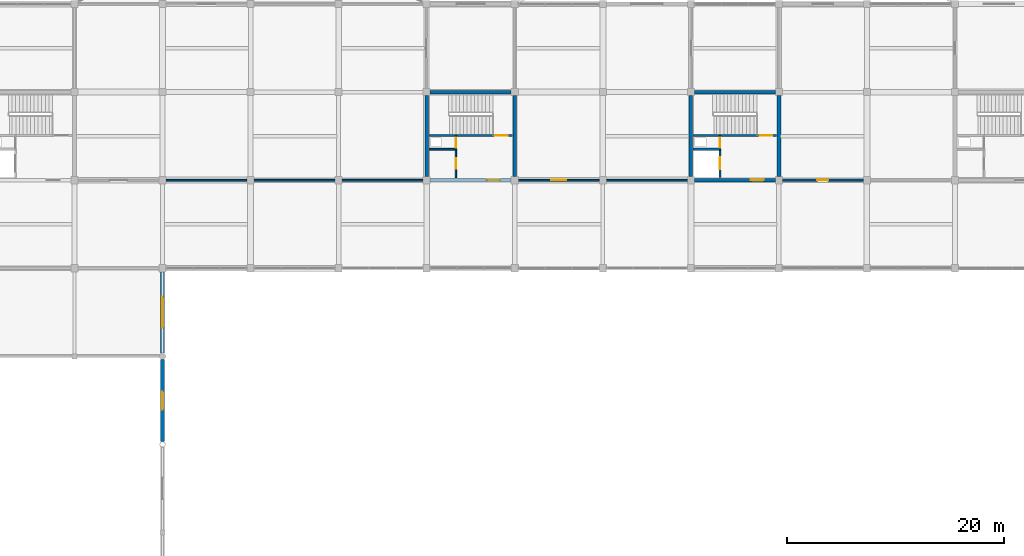
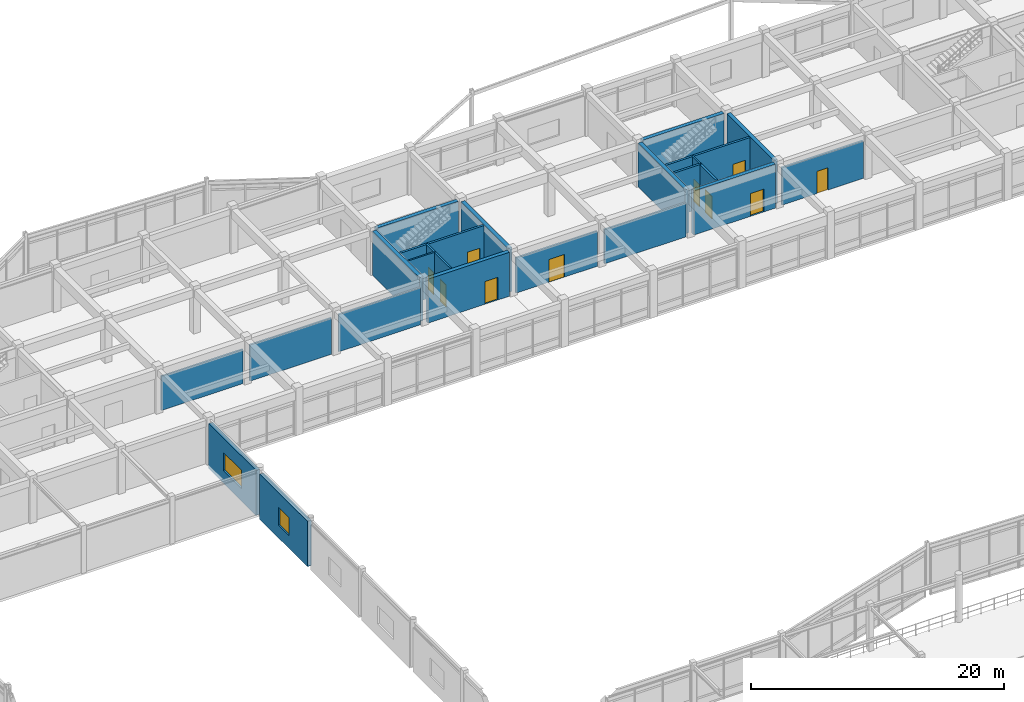
# One storey, part 67 of 93: 24 walls, 10 doors, 2 windows, 12 openings.
"""IFC4 building model written with IfcOpenShell, lengths in metres."""

from ifc_helpers import new_model, si_unit, direction, frame, frame_2d, origin, place, context, subcontext, project, spatial, rectangle, extrude, material, layer, layer_set, type_object, element, fill, save


model = new_model("IFC4")

# Units and contexts
model_context = context("Model", 3, precision=1e-05, world=origin(), true_north=direction((0.0, 1.0)))
body_context = subcontext(model_context, "Body", "Model", "MODEL_VIEW")
ifc_project = project(units=[si_unit("LENGTHUNIT", "METRE"), si_unit("AREAUNIT", "SQUARE_METRE"), si_unit("VOLUMEUNIT", "CUBIC_METRE"), si_unit("PLANEANGLEUNIT", "RADIAN"), si_unit("MASSUNIT", "GRAM", prefix="KILO")], contexts=[model_context])

# Site, building, storey
site_placement = place(None, origin())
site = spatial("IfcSite", under=ifc_project, at=site_placement, CompositionType="ELEMENT")
building_placement = place(site_placement, origin())
building = spatial("IfcBuilding", under=site, at=building_placement, Name="Vaudrelin Polytechnic", CompositionType="ELEMENT")
storey_placement = place(building_placement, frame((0.0, 0.0, 5.10009765625)))
storey = spatial("IfcBuildingStorey", under=building, at=storey_placement, Name="L01", CompositionType="ELEMENT", Elevation=5.10009765625)

# Wall, opening, window
ifc_material_1 = material(Name="Precast concrete 35 MPa with standing-seam zinc rainscreen", Category="concrete")
ifc_layer_1 = layer(ifc_material_1, 0.360107421875)
ifc_layer_set_1 = layer_set([ifc_layer_1], Name="Precast concrete 35 MPa with standing-seam zinc rainscreen")
wall_type_1 = type_object("IfcWallType", Name="WAL-EW-ZINC360", PredefinedType="STANDARD", material=ifc_layer_set_1)
wall_1_placement = place(storey_placement, frame((32.39990234375, 81.251953125, -0.380126953125), z_axis=(0.0, 0.0, 1.0), x_axis=(0.0, 1.0, 0.0)))
wall_1 = element("IfcWall", 1, at=wall_1_placement, inside=storey, type_object=wall_type_1, Name="Exterior wall L01 CT_W_04", PredefinedType="STANDARD", context=body_context, shape_type="SweptSolid", body=[
    extrude(rectangle(XDim=7.550048828125, YDim=0.360107421875, at=frame_2d((3.77490234375, 0.0))), origin(), (0.0, 0.0, 1.0), 4.385986328125),
])
opening_1_placement = place(wall_1_placement, frame((2.949951171875, 0.0, 1.22998046875)))
opening_1 = element("IfcOpeningElement", 2, at=opening_1_placement, cuts=wall_1, Name="Opening W-L01-CT-W-05", PredefinedType="OPENING", context=body_context, shape_type="SweptSolid", body=[
    extrude(rectangle(XDim=1.64990234375, YDim=1.75, at=frame_2d((0.824951171875, 0.875))), frame((0.0, 0.18994140625, 0.0), z_axis=(0.0, -1.0, 0.0), x_axis=(1.0, 0.0, 0.0)), (0.0, 0.0, 1.0), 0.380126953125),
])
ifc_material_2 = material(Name="Thermally broken aluminium frame with triple low-e glazing", Category="aluminium")
window_type_1 = type_object("IfcWindowType", Name="WIN-WN-18", PartitioningType="SINGLE_PANEL", PredefinedType="WINDOW", material=ifc_material_2)
window_1_placement = place(opening_1_placement, origin())
window_1 = element("IfcWindow", 3, at=window_1_placement, inside=storey, type_object=window_type_1, Name="Facade window L01-CT_W_04", OverallHeight=1.75, OverallWidth=1.64990234375, PartitioningType="SINGLE_PANEL", PredefinedType="WINDOW", context=body_context, shape_type="SweptSolid", body=[
    extrude(rectangle(XDim=1.64990234375, YDim=1.75, at=frame_2d((0.824951171875, 0.875))), frame((0.0, 0.030029296875, 0.0), z_axis=(0.0, -1.0, 0.0), x_axis=(1.0, 0.0, 0.0)), (0.0, 0.0, 1.0), 0.06005859375),
])
fill(opening_1, window_1)

wall_2_placement = place(storey_placement, frame((32.39990234375, 89.39794921875, -0.380126953125), z_axis=(0.0, 0.0, 1.0), x_axis=(0.0, 1.0, 0.0)))
wall_2 = element("IfcWall", 4, at=wall_2_placement, inside=storey, type_object=wall_type_1, Name="Exterior wall L01 CT_W_05", PredefinedType="STANDARD", context=body_context, shape_type="SweptSolid", body=[
    extrude(rectangle(XDim=7.47900390625, YDim=0.360107421875, at=frame_2d((3.739501953125, 0.0))), origin(), (0.0, 0.0, 1.0), 4.375),
])
opening_2_placement = place(wall_2_placement, frame((2.314453125, 0.0, 1.22998046875)))
opening_2 = element("IfcOpeningElement", 5, at=opening_2_placement, cuts=wall_2, Name="Opening W-L01-CT-W-06", PredefinedType="OPENING", context=body_context, shape_type="SweptSolid", body=[
    extrude(rectangle(XDim=2.85009765625, YDim=1.75, at=frame_2d((1.425048828125, 0.875))), frame((0.0, 0.18994140625, 0.0), z_axis=(0.0, -1.0, 0.0), x_axis=(1.0, 0.0, 0.0)), (0.0, 0.0, 1.0), 0.380126953125),
])
window_type_2 = type_object("IfcWindowType", Name="WIN-WN-19", PartitioningType="SINGLE_PANEL", PredefinedType="WINDOW", material=ifc_material_2)
window_2_placement = place(opening_2_placement, origin())
window_2 = element("IfcWindow", 6, at=window_2_placement, inside=storey, type_object=window_type_2, Name="Facade window L01-CT_W_05", OverallHeight=1.75, OverallWidth=2.85009765625, PartitioningType="SINGLE_PANEL", PredefinedType="WINDOW", context=body_context, shape_type="SweptSolid", body=[
    extrude(rectangle(XDim=2.85009765625, YDim=1.75, at=frame_2d((1.425048828125, 0.875))), frame((0.0, 0.030029296875, 0.0), z_axis=(0.0, -1.0, 0.0), x_axis=(1.0, 0.0, 0.0)), (0.0, 0.0, 1.0), 0.06005859375),
])
fill(opening_2, window_2)

# Wall, opening, door
ifc_material_3 = material(Name="Acoustic double-stud gypsum & mineral-wool partition", Category="gypsum")
ifc_layer_2 = layer(ifc_material_3, 0.179931640625)
ifc_layer_set_2 = layer_set([ifc_layer_2], Name="Acoustic double-stud gypsum & mineral-wool partition")
wall_type_2 = type_object("IfcWallType", Name="WAL-PW-AC180", PredefinedType="PARTITIONING", material=ifc_layer_set_2)
wall_3_placement = place(storey_placement, frame((89.423095703125, 105.300048828125, 0.0), z_axis=(0.0, 0.0, 1.0), x_axis=(1.0, 0.0, 0.0)))
wall_3 = element("IfcWall", 7, at=wall_3_placement, inside=storey, type_object=wall_type_2, Name="Partition L01-019 S", PredefinedType="PARTITIONING", context=body_context, shape_type="SweptSolid", body=[
    extrude(rectangle(XDim=7.453857421875, YDim=0.179931640625, at=frame_2d((3.72705078125, 0.0))), origin(), (0.0, 0.0, 1.0), 3.601806640625),
])
opening_3_placement = place(wall_3_placement, frame((3.22705078125, 0.0, 0.0)))
opening_3 = element("IfcOpeningElement", 8, at=opening_3_placement, cuts=wall_3, Name="Opening D-L01-455", PredefinedType="OPENING", context=body_context, shape_type="SweptSolid", body=[
    extrude(rectangle(XDim=1.0, YDim=2.14990234375, at=frame_2d((0.5, 1.074951171875))), frame((0.0, 0.10009765625, 0.0), z_axis=(0.0, -1.0, 0.0), x_axis=(1.0, 0.0, 0.0)), (0.0, 0.0, 1.0), 0.199951171875),
])
ifc_material_4 = material(Name="Solid-core birch veneer acoustic leaf", Category="wood")
door_type_1 = type_object("IfcDoorType", Name="DOR-ID-SEM1", OperationType="NOTDEFINED", PredefinedType="DOOR", material=ifc_material_4)
door_1_placement = place(opening_3_placement, origin())
door_1 = element("IfcDoor", 9, at=door_1_placement, inside=storey, type_object=door_type_1, Name="Seminar Room 102 door L01-019", OperationType="SINGLE_SWING_LEFT", OverallHeight=2.14990234375, OverallWidth=1.0, PredefinedType="DOOR", context=body_context, shape_type="SweptSolid", body=[
    extrude(rectangle(XDim=1.0, YDim=2.14990234375, at=frame_2d((0.5, 1.074951171875))), frame((0.0, 0.02490234375, 0.0), z_axis=(0.0, -1.0, 0.0), x_axis=(1.0, 0.0, 0.0)), (0.0, 0.0, 1.0), 0.050048828125),
])
fill(opening_3, door_1)

ifc_material_5 = material(Name="Fire-rated steel-stud gypsum compartment wall", Category="steel")
ifc_layer_3 = layer(ifc_material_5, 0.14990234375)
ifc_layer_set_3 = layer_set([ifc_layer_3], Name="Fire-rated steel-stud gypsum compartment wall")
wall_type_3 = type_object("IfcWallType", Name="WAL-PW-FIRE60", PredefinedType="PARTITIONING", material=ifc_layer_set_3)
wall_4_placement = place(storey_placement, frame((83.679931640625, 108.14990234375, 0.0), z_axis=(0.0, 0.0, 1.0), x_axis=(0.0, 1.0, 0.0)))
wall_4 = element("IfcWall", 10, at=wall_4_placement, inside=storey, type_object=wall_type_3, Name="Core C2 riser enclosure wall L01", PredefinedType="PARTITIONING", context=body_context, shape_type="SweptSolid", body=[
    extrude(rectangle(XDim=1.260009765625, YDim=0.14990234375, at=frame_2d((0.6298828125, 0.0))), origin(), (0.0, 0.0, 1.0), 4.251953125),
])
opening_4_placement = place(wall_4_placement, frame((0.139892578125, 0.0, 0.0)))
opening_4 = element("IfcOpeningElement", 11, at=opening_4_placement, cuts=wall_4, Name="Opening D-L01-032", PredefinedType="OPENING", context=body_context, shape_type="SweptSolid", body=[
    extrude(rectangle(XDim=0.89990234375, YDim=2.14990234375, at=frame_2d((0.449951171875, 1.074951171875))), frame((0.0, 0.0849609375, 0.0), z_axis=(0.0, -1.0, 0.0), x_axis=(1.0, 0.0, 0.0)), (0.0, 0.0, 1.0), 0.169921875),
])
ifc_material_6 = material(Name="Pressed galvanised steel acoustic leaf", Category="steel")
door_type_2 = type_object("IfcDoorType", Name="DOR-ID-RSR1", OperationType="NOTDEFINED", PredefinedType="DOOR", material=ifc_material_6)
door_2_placement = place(opening_4_placement, origin())
door_2 = element("IfcDoor", 12, at=door_2_placement, inside=storey, type_object=door_type_2, Name="Core C2 riser access door L01", OperationType="SINGLE_SWING_RIGHT", OverallHeight=2.14990234375, OverallWidth=0.89990234375, PredefinedType="DOOR", context=body_context, shape_type="SweptSolid", body=[
    extrude(rectangle(XDim=0.89990234375, YDim=2.14990234375, at=frame_2d((0.449951171875, 1.074951171875))), frame((0.0, 0.02490234375, 0.0), z_axis=(0.0, -1.0, 0.0), x_axis=(1.0, 0.0, 0.0)), (0.0, 0.0, 1.0), 0.050048828125),
])
fill(opening_4, door_2)

wall_5_placement = place(storey_placement, frame((59.3798828125, 108.14990234375, 0.0), z_axis=(0.0, 0.0, 1.0), x_axis=(0.0, 1.0, 0.0)))
wall_5 = element("IfcWall", 13, at=wall_5_placement, inside=storey, type_object=wall_type_3, Name="Core C9 riser enclosure wall L01", PredefinedType="PARTITIONING", context=body_context, shape_type="SweptSolid", body=[
    extrude(rectangle(XDim=1.260009765625, YDim=0.14990234375, at=frame_2d((0.6298828125, 0.0))), origin(), (0.0, 0.0, 1.0), 4.251953125),
])
opening_5_placement = place(wall_5_placement, frame((0.139892578125, 0.0, 0.0)))
opening_5 = element("IfcOpeningElement", 14, at=opening_5_placement, cuts=wall_5, Name="Opening D-L01-185", PredefinedType="OPENING", context=body_context, shape_type="SweptSolid", body=[
    extrude(rectangle(XDim=0.89990234375, YDim=2.14990234375, at=frame_2d((0.449951171875, 1.074951171875))), frame((0.0, 0.0849609375, 0.0), z_axis=(0.0, -1.0, 0.0), x_axis=(1.0, 0.0, 0.0)), (0.0, 0.0, 1.0), 0.169921875),
])
door_3_placement = place(opening_5_placement, origin())
door_3 = element("IfcDoor", 15, at=door_3_placement, inside=storey, type_object=door_type_2, Name="Core C9 riser access door L01", OperationType="SINGLE_SWING_RIGHT", OverallHeight=2.14990234375, OverallWidth=0.89990234375, PredefinedType="DOOR", context=body_context, shape_type="SweptSolid", body=[
    extrude(rectangle(XDim=0.89990234375, YDim=2.14990234375, at=frame_2d((0.449951171875, 1.074951171875))), frame((0.0, 0.02490234375, 0.0), z_axis=(0.0, -1.0, 0.0), x_axis=(1.0, 0.0, 0.0)), (0.0, 0.0, 1.0), 0.050048828125),
])
fill(opening_5, door_3)

# Wall
wall_6_placement = place(storey_placement, frame((56.919921875, 108.14990234375, 0.0), z_axis=(0.0, 0.0, 1.0), x_axis=(1.0, 0.0, 0.0)))
element("IfcWall", 16, at=wall_6_placement, inside=storey, type_object=wall_type_3, Name="Core C9 riser south fire wall L01", PredefinedType="PARTITIONING", context=body_context, shape_type="SweptSolid", body=[
    extrude(rectangle(XDim=2.530029296875, YDim=0.14990234375, at=frame_2d((1.26513671875, 0.0))), origin(), (0.0, 0.0, 1.0), 4.251953125),
])

# Wall, opening, door
wall_7_placement = place(storey_placement, frame((59.3798828125, 105.550048828125, 0.0), z_axis=(0.0, 0.0, 1.0), x_axis=(0.0, 1.0, 0.0)))
wall_7 = element("IfcWall", 17, at=wall_7_placement, inside=storey, type_object=wall_type_3, Name="Core C9 custodial enclosure wall L01", PredefinedType="PARTITIONING", context=body_context, shape_type="SweptSolid", body=[
    extrude(rectangle(XDim=2.599853515625, YDim=0.14990234375, at=frame_2d((1.2998046875, 0.0))), origin(), (0.0, 0.0, 1.0), 4.251953125),
])
opening_6_placement = place(wall_7_placement, frame((0.800048828125, 0.0, 0.0)))
opening_6 = element("IfcOpeningElement", 18, at=opening_6_placement, cuts=wall_7, Name="Opening D-L01-186", PredefinedType="OPENING", context=body_context, shape_type="SweptSolid", body=[
    extrude(rectangle(XDim=0.949951171875, YDim=2.14990234375, at=frame_2d((0.47509765625, 1.074951171875))), frame((0.0, 0.0849609375, 0.0), z_axis=(0.0, -1.0, 0.0), x_axis=(1.0, 0.0, 0.0)), (0.0, 0.0, 1.0), 0.169921875),
])
door_type_3 = type_object("IfcDoorType", Name="DOR-ID-STR1", OperationType="NOTDEFINED", PredefinedType="DOOR", material=ifc_material_6)
door_4_placement = place(opening_6_placement, origin())
door_4 = element("IfcDoor", 19, at=door_4_placement, inside=storey, type_object=door_type_3, Name="Core C9 custodial door L01", OperationType="SINGLE_SWING_RIGHT", OverallHeight=2.14990234375, OverallWidth=0.949951171875, PredefinedType="DOOR", context=body_context, shape_type="SweptSolid", body=[
    extrude(rectangle(XDim=0.949951171875, YDim=2.14990234375, at=frame_2d((0.47509765625, 1.074951171875))), frame((0.0, 0.02490234375, 0.0), z_axis=(0.0, -1.0, 0.0), x_axis=(1.0, 0.0, 0.0)), (0.0, 0.0, 1.0), 0.050048828125),
])
fill(opening_6, door_4)

# Walls
ifc_material_7 = material(Name="Pin-up plywood & acoustic gypsum studio partition", Category="wood")
ifc_layer_4 = layer(ifc_material_7, 0.14990234375)
ifc_layer_set_4 = layer_set([ifc_layer_4], Name="Pin-up plywood & acoustic gypsum studio partition")
wall_type_4 = type_object("IfcWallType", Name="WAL-PW-STU150", PredefinedType="PARTITIONING", material=ifc_layer_set_4)
wall_8_placement = place(storey_placement, frame((32.722900390625, 105.300048828125, 0.0), z_axis=(0.0, 0.0, 1.0), x_axis=(1.0, 0.0, 0.0)))
element("IfcWall", 20, at=wall_8_placement, inside=storey, type_object=wall_type_4, Name="Partition L01-016 S", PredefinedType="PARTITIONING", context=body_context, shape_type="SweptSolid", body=[
    extrude(rectangle(XDim=7.4541015625, YDim=0.14990234375, at=frame_2d((3.72705078125, 0.0))), origin(), (0.0, 0.0, 1.0), 3.302001953125),
])
wall_9_placement = place(storey_placement, frame((40.822998046875, 105.300048828125, 0.0), z_axis=(0.0, 0.0, 1.0), x_axis=(1.0, 0.0, 0.0)))
element("IfcWall", 21, at=wall_9_placement, inside=storey, type_object=wall_type_4, Name="Partition L01-016 S", PredefinedType="PARTITIONING", context=body_context, shape_type="SweptSolid", body=[
    extrude(rectangle(XDim=7.4541015625, YDim=0.14990234375, at=frame_2d((3.72705078125, 0.0))), origin(), (0.0, 0.0, 1.0), 3.501953125),
])
wall_10_placement = place(storey_placement, frame((48.923095703125, 105.300048828125, 0.0), z_axis=(0.0, 0.0, 1.0), x_axis=(1.0, 0.0, 0.0)))
element("IfcWall", 22, at=wall_10_placement, inside=storey, type_object=wall_type_4, Name="Partition L01-016 S", PredefinedType="PARTITIONING", context=body_context, shape_type="SweptSolid", body=[
    extrude(rectangle(XDim=7.453857421875, YDim=0.14990234375, at=frame_2d((3.72705078125, 0.0))), origin(), (0.0, 0.0, 1.0), 3.601806640625),
])

# Wall, opening, door
wall_11_placement = place(storey_placement, frame((65.123046875, 105.300048828125, 0.0), z_axis=(0.0, 0.0, 1.0), x_axis=(1.0, 0.0, 0.0)))
wall_11 = element("IfcWall", 23, at=wall_11_placement, inside=storey, type_object=wall_type_4, Name="Partition L01-018 S", PredefinedType="PARTITIONING", context=body_context, shape_type="SweptSolid", body=[
    extrude(rectangle(XDim=7.453857421875, YDim=0.14990234375, at=frame_2d((3.72705078125, 0.0))), origin(), (0.0, 0.0, 1.0), 3.40185546875),
])
opening_7_placement = place(wall_11_placement, frame((3.027099609375, 0.0, 0.0)))
opening_7 = element("IfcOpeningElement", 24, at=opening_7_placement, cuts=wall_11, Name="Opening D-L01-454", PredefinedType="OPENING", context=body_context, shape_type="SweptSolid", body=[
    extrude(rectangle(XDim=1.39990234375, YDim=2.199951171875, at=frame_2d((0.699951171875, 1.10009765625))), frame((0.0, 0.0849609375, 0.0), z_axis=(0.0, -1.0, 0.0), x_axis=(1.0, 0.0, 0.0)), (0.0, 0.0, 1.0), 0.169921875),
])
door_type_4 = type_object("IfcDoorType", Name="DOR-ID-STU1", OperationType="NOTDEFINED", PredefinedType="DOOR", material=ifc_material_4)
door_5_placement = place(opening_7_placement, origin())
door_5 = element("IfcDoor", 25, at=door_5_placement, inside=storey, type_object=door_type_4, Name="Mechatronics Teaching Studio door L01-018", OperationType="DOUBLE_SWING_LEFT", OverallHeight=2.199951171875, OverallWidth=1.39990234375, PredefinedType="DOOR", context=body_context, shape_type="SweptSolid", body=[
    extrude(rectangle(XDim=1.39990234375, YDim=2.199951171875, at=frame_2d((0.699951171875, 1.10009765625))), frame((0.0, 0.02490234375, 0.0), z_axis=(0.0, -1.0, 0.0), x_axis=(1.0, 0.0, 0.0)), (0.0, 0.0, 1.0), 0.050048828125),
])
fill(opening_7, door_5)

# Wall
wall_12_placement = place(storey_placement, frame((73.222900390625, 105.300048828125, 0.0), z_axis=(0.0, 0.0, 1.0), x_axis=(1.0, 0.0, 0.0)))
element("IfcWall", 26, at=wall_12_placement, inside=storey, type_object=wall_type_4, Name="Partition L01-018 S", PredefinedType="PARTITIONING", context=body_context, shape_type="SweptSolid", body=[
    extrude(rectangle(XDim=7.4541015625, YDim=0.14990234375, at=frame_2d((3.72705078125, 0.0))), origin(), (0.0, 0.0, 1.0), 3.302001953125),
])

# Wall, opening, door
ifc_material_8 = material(Name="Concrete 40 MPa", Category="concrete")
ifc_layer_5 = layer(ifc_material_8, 0.199951171875)
ifc_layer_set_5 = layer_set([ifc_layer_5], Name="Concrete 40 MPa")
wall_type_5 = type_object("IfcWallType", Name="WAL-SW-CORE200", PredefinedType="SHEAR", material=ifc_layer_set_5)
wall_13_placement = place(storey_placement, frame((81.219970703125, 109.409912109375, 0.0), z_axis=(0.0, 0.0, 1.0), x_axis=(1.0, 0.0, 0.0)))
wall_13 = element("IfcWall", 27, at=wall_13_placement, inside=storey, type_object=wall_type_5, Name="Core C2 stair enclosure wall L01", PredefinedType="SHEAR", context=body_context, shape_type="SweptSolid", body=[
    extrude(rectangle(XDim=7.659912109375, YDim=0.199951171875, at=frame_2d((3.830078125, 0.0))), origin(), (0.0, 0.0, 1.0), 4.251953125),
])
opening_8_placement = place(wall_13_placement, frame((6.110107421875, 0.0, 0.0)))
opening_8 = element("IfcOpeningElement", 28, at=opening_8_placement, cuts=wall_13, Name="Opening D-L01-031", PredefinedType="OPENING", context=body_context, shape_type="SweptSolid", body=[
    extrude(rectangle(XDim=1.14990234375, YDim=2.199951171875, at=frame_2d((0.574951171875, 1.10009765625))), frame((0.0, 0.10986328125, 0.0), z_axis=(0.0, -1.0, 0.0), x_axis=(1.0, 0.0, 0.0)), (0.0, 0.0, 1.0), 0.219970703125),
])
door_type_5 = type_object("IfcDoorType", Name="DOR-ID-ST1", OperationType="NOTDEFINED", PredefinedType="DOOR", material=ifc_material_6)
door_6_placement = place(opening_8_placement, origin())
door_6 = element("IfcDoor", 29, at=door_6_placement, inside=storey, type_object=door_type_5, Name="Core C2 exit stair door L01", OperationType="SINGLE_SWING_LEFT", OverallHeight=2.199951171875, OverallWidth=1.14990234375, PredefinedType="DOOR", context=body_context, shape_type="SweptSolid", body=[
    extrude(rectangle(XDim=1.14990234375, YDim=2.199951171875, at=frame_2d((0.574951171875, 1.10009765625))), frame((0.0, 0.02490234375, 0.0), z_axis=(0.0, -1.0, 0.0), x_axis=(1.0, 0.0, 0.0)), (0.0, 0.0, 1.0), 0.050048828125),
])
fill(opening_8, door_6)

wall_14_placement = place(storey_placement, frame((83.679931640625, 105.550048828125, 0.0), z_axis=(0.0, 0.0, 1.0), x_axis=(0.0, 1.0, 0.0)))
wall_14 = element("IfcWall", 30, at=wall_14_placement, inside=storey, type_object=wall_type_5, Name="Lift LF-02 shaft front wall L01", PredefinedType="SHEAR", context=body_context, shape_type="SweptSolid", body=[
    extrude(rectangle(XDim=2.599853515625, YDim=0.199951171875, at=frame_2d((1.2998046875, 0.0))), origin(), (0.0, 0.0, 1.0), 4.251953125),
])
opening_9_placement = place(wall_14_placement, frame((0.75, 0.0, 0.0)))
opening_9 = element("IfcOpeningElement", 31, at=opening_9_placement, cuts=wall_14, Name="Opening LD-LF-02-L01", PredefinedType="OPENING", context=body_context, shape_type="SweptSolid", body=[
    extrude(rectangle(XDim=1.10009765625, YDim=2.199951171875, at=frame_2d((0.550048828125, 1.10009765625))), frame((0.0, 0.10986328125, 0.0), z_axis=(0.0, -1.0, 0.0), x_axis=(1.0, 0.0, 0.0)), (0.0, 0.0, 1.0), 0.219970703125),
])
ifc_material_9 = material(Name="Brushed stainless steel AISI 304", Category="steel")
door_type_6 = type_object("IfcDoorType", Name="DOR-LD-PAX", OperationType="SLIDING_TO_LEFT", PredefinedType="DOOR", material=ifc_material_9)
door_7_placement = place(opening_9_placement, origin())
door_7 = element("IfcDoor", 32, at=door_7_placement, inside=storey, type_object=door_type_6, Name="Lift LF-02 landing door L01", OperationType="SLIDING_TO_LEFT", OverallHeight=2.199951171875, OverallWidth=1.10009765625, PredefinedType="DOOR", context=body_context, shape_type="SweptSolid", body=[
    extrude(rectangle(XDim=1.10009765625, YDim=2.199951171875, at=frame_2d((0.550048828125, 1.10009765625))), frame((0.0, 0.02490234375, 0.0), z_axis=(0.0, -1.0, 0.0), x_axis=(1.0, 0.0, 0.0)), (0.0, 0.0, 1.0), 0.050048828125),
])
fill(opening_9, door_7)

# Wall
wall_15_placement = place(storey_placement, frame((81.219970703125, 108.14990234375, 0.0), z_axis=(0.0, 0.0, 1.0), x_axis=(1.0, 0.0, 0.0)))
element("IfcWall", 33, at=wall_15_placement, inside=storey, type_object=wall_type_5, Name="Lift LF-02 shaft north wall L01", PredefinedType="SHEAR", context=body_context, shape_type="SweptSolid", body=[
    extrude(rectangle(XDim=2.56005859375, YDim=0.199951171875, at=frame_2d((1.280029296875, 0.0))), origin(), (0.0, 0.0, 1.0), 4.251953125),
])

# Wall, opening, door
wall_16_placement = place(storey_placement, frame((56.919921875, 109.409912109375, 0.0), z_axis=(0.0, 0.0, 1.0), x_axis=(1.0, 0.0, 0.0)))
wall_16 = element("IfcWall", 34, at=wall_16_placement, inside=storey, type_object=wall_type_5, Name="Core C9 stair enclosure wall L01", PredefinedType="SHEAR", context=body_context, shape_type="SweptSolid", body=[
    extrude(rectangle(XDim=7.66015625, YDim=0.199951171875, at=frame_2d((3.830078125, 0.0))), origin(), (0.0, 0.0, 1.0), 4.251953125),
])
opening_10_placement = place(wall_16_placement, frame((6.110107421875, 0.0, 0.0)))
opening_10 = element("IfcOpeningElement", 35, at=opening_10_placement, cuts=wall_16, Name="Opening D-L01-184", PredefinedType="OPENING", context=body_context, shape_type="SweptSolid", body=[
    extrude(rectangle(XDim=1.14990234375, YDim=2.199951171875, at=frame_2d((0.574951171875, 1.10009765625))), frame((0.0, 0.10986328125, 0.0), z_axis=(0.0, -1.0, 0.0), x_axis=(1.0, 0.0, 0.0)), (0.0, 0.0, 1.0), 0.219970703125),
])
door_8_placement = place(opening_10_placement, origin())
door_8 = element("IfcDoor", 36, at=door_8_placement, inside=storey, type_object=door_type_5, Name="Core C9 exit stair door L01", OperationType="SINGLE_SWING_LEFT", OverallHeight=2.199951171875, OverallWidth=1.14990234375, PredefinedType="DOOR", context=body_context, shape_type="SweptSolid", body=[
    extrude(rectangle(XDim=1.14990234375, YDim=2.199951171875, at=frame_2d((0.574951171875, 1.10009765625))), frame((0.0, 0.02490234375, 0.0), z_axis=(0.0, -1.0, 0.0), x_axis=(1.0, 0.0, 0.0)), (0.0, 0.0, 1.0), 0.050048828125),
])
fill(opening_10, door_8)

# Walls
ifc_material_10 = material(Name="Concrete 50 MPa", Category="concrete")
ifc_layer_6 = layer(ifc_material_10, 0.35009765625)
ifc_layer_set_6 = layer_set([ifc_layer_6], Name="Concrete 50 MPa")
wall_type_6 = type_object("IfcWallType", Name="WAL-SW-CORE350", PredefinedType="SHEAR", material=ifc_layer_set_6)
wall_17_placement = place(storey_placement, frame((81.322998046875, 113.39990234375, 0.0), z_axis=(0.0, 0.0, 1.0), x_axis=(1.0, 0.0, 0.0)))
element("IfcWall", 37, at=wall_17_placement, inside=storey, type_object=wall_type_6, Name="Core C2 N shear wall L01", PredefinedType="SHEAR", context=body_context, shape_type="SweptSolid", body=[
    extrude(rectangle(XDim=7.4541015625, YDim=0.35009765625, at=frame_2d((3.72705078125, 0.0))), origin(), (0.0, 0.0, 1.0), 4.251953125),
])
for number, where, z_axis, x_axis, name in (
    (38, (81.0, 105.623046875, 0.0), (0.0, 0.0, 1.0), (0.0, 1.0, 0.0), "Core C2 W shear wall L01"),
    (39, (89.10009765625, 105.623046875, 0.0), (0.0, 0.0, 1.0), (0.0, 1.0, 0.0), "Core C2 E shear wall L01"),
):
    element("IfcWall", number, at=place(storey_placement, frame(where, z_axis=z_axis, x_axis=x_axis)), inside=storey, type_object=wall_type_6, Name=name, PredefinedType="SHEAR", context=body_context, shape_type="SweptSolid", body=[
        extrude(rectangle(XDim=7.453857421875, YDim=0.35009765625, at=frame_2d((3.72705078125, 0.0))), origin(), (0.0, 0.0, 1.0), 4.251953125),
    ])

# Wall, opening, door
wall_18_placement = place(storey_placement, frame((81.322998046875, 105.300048828125, 0.0), z_axis=(0.0, 0.0, 1.0), x_axis=(1.0, 0.0, 0.0)))
wall_18 = element("IfcWall", 40, at=wall_18_placement, inside=storey, type_object=wall_type_6, Name="Core C2 S shear wall L01", PredefinedType="SHEAR", context=body_context, shape_type="SweptSolid", body=[
    extrude(rectangle(XDim=7.4541015625, YDim=0.35009765625, at=frame_2d((3.72705078125, 0.0))), origin(), (0.0, 0.0, 1.0), 4.251953125),
])
opening_11_placement = place(wall_18_placement, frame((5.2041015625, 0.0, 0.0)))
opening_11 = element("IfcOpeningElement", 41, at=opening_11_placement, cuts=wall_18, Name="Opening D-L01-030", PredefinedType="OPENING", context=body_context, shape_type="SweptSolid", body=[
    extrude(rectangle(XDim=1.199951171875, YDim=2.199951171875, at=frame_2d((0.60009765625, 1.10009765625))), frame((0.0, 0.18505859375, 0.0), z_axis=(0.0, -1.0, 0.0), x_axis=(1.0, 0.0, 0.0)), (0.0, 0.0, 1.0), 0.3701171875),
])
door_type_7 = type_object("IfcDoorType", Name="DOR-ID-LB1", OperationType="NOTDEFINED", PredefinedType="DOOR", material=ifc_material_6)
door_9_placement = place(opening_11_placement, origin())
door_9 = element("IfcDoor", 42, at=door_9_placement, inside=storey, type_object=door_type_7, Name="Core C2 lobby fire door L01", OperationType="SINGLE_SWING_LEFT", OverallHeight=2.199951171875, OverallWidth=1.199951171875, PredefinedType="DOOR", context=body_context, shape_type="SweptSolid", body=[
    extrude(rectangle(XDim=1.199951171875, YDim=2.199951171875, at=frame_2d((0.60009765625, 1.10009765625))), frame((0.0, 0.02490234375, 0.0), z_axis=(0.0, -1.0, 0.0), x_axis=(1.0, 0.0, 0.0)), (0.0, 0.0, 1.0), 0.050048828125),
])
fill(opening_11, door_9)

# Walls
wall_19_placement = place(storey_placement, frame((57.02294921875, 113.39990234375, 0.0), z_axis=(0.0, 0.0, 1.0), x_axis=(1.0, 0.0, 0.0)))
element("IfcWall", 43, at=wall_19_placement, inside=storey, type_object=wall_type_6, Name="Core C9 N shear wall L01", PredefinedType="SHEAR", context=body_context, shape_type="SweptSolid", body=[
    extrude(rectangle(XDim=7.4541015625, YDim=0.35009765625, at=frame_2d((3.72705078125, 0.0))), origin(), (0.0, 0.0, 1.0), 4.251953125),
])
for number, where, z_axis, x_axis, name in (
    (44, (56.699951171875, 105.623046875, 0.0), (0.0, 0.0, 1.0), (0.0, 1.0, 0.0), "Core C9 W shear wall L01"),
    (45, (64.800048828125, 105.623046875, 0.0), (0.0, 0.0, 1.0), (0.0, 1.0, 0.0), "Core C9 E shear wall L01"),
):
    element("IfcWall", number, at=place(storey_placement, frame(where, z_axis=z_axis, x_axis=x_axis)), inside=storey, type_object=wall_type_6, Name=name, PredefinedType="SHEAR", context=body_context, shape_type="SweptSolid", body=[
        extrude(rectangle(XDim=7.453857421875, YDim=0.35009765625, at=frame_2d((3.72705078125, 0.0))), origin(), (0.0, 0.0, 1.0), 4.251953125),
    ])

# Wall, opening, door
wall_20_placement = place(storey_placement, frame((57.02294921875, 105.300048828125, 0.0), z_axis=(0.0, 0.0, 1.0), x_axis=(1.0, 0.0, 0.0)))
wall_20 = element("IfcWall", 46, at=wall_20_placement, inside=storey, type_object=wall_type_6, Name="Core C9 S shear wall L01", PredefinedType="SHEAR", context=body_context, shape_type="SweptSolid", body=[
    extrude(rectangle(XDim=7.4541015625, YDim=0.35009765625, at=frame_2d((3.72705078125, 0.0))), origin(), (0.0, 0.0, 1.0), 4.251953125),
])
opening_12_placement = place(wall_20_placement, frame((5.2041015625, 0.0, 0.0)))
opening_12 = element("IfcOpeningElement", 47, at=opening_12_placement, cuts=wall_20, Name="Opening D-L01-183", PredefinedType="OPENING", context=body_context, shape_type="SweptSolid", body=[
    extrude(rectangle(XDim=1.199951171875, YDim=2.199951171875, at=frame_2d((0.60009765625, 1.10009765625))), frame((0.0, 0.18505859375, 0.0), z_axis=(0.0, -1.0, 0.0), x_axis=(1.0, 0.0, 0.0)), (0.0, 0.0, 1.0), 0.3701171875),
])
door_10_placement = place(opening_12_placement, origin())
door_10 = element("IfcDoor", 48, at=door_10_placement, inside=storey, type_object=door_type_7, Name="Core C9 lobby fire door L01", OperationType="SINGLE_SWING_RIGHT", OverallHeight=2.199951171875, OverallWidth=1.199951171875, PredefinedType="DOOR", context=body_context, shape_type="SweptSolid", body=[
    extrude(rectangle(XDim=1.199951171875, YDim=2.199951171875, at=frame_2d((0.60009765625, 1.10009765625))), frame((0.0, 0.02490234375, 0.0), z_axis=(0.0, -1.0, 0.0), x_axis=(1.0, 0.0, 0.0)), (0.0, 0.0, 1.0), 0.050048828125),
])
fill(opening_12, door_10)

save(model, "model.ifc")
